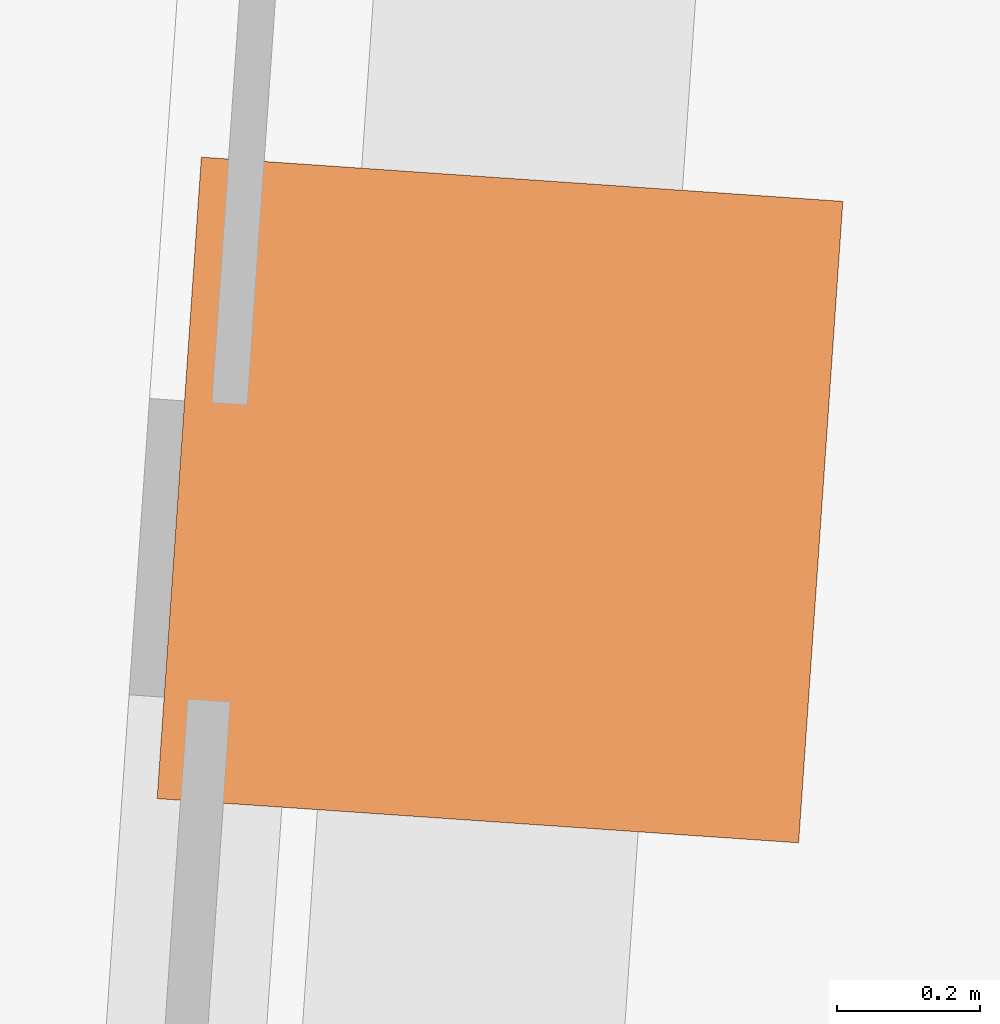
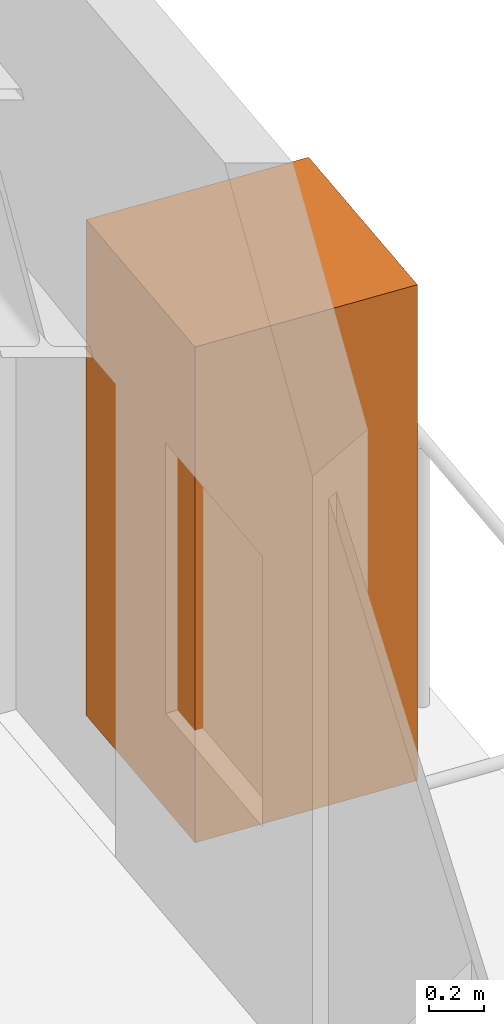
# One storey, part 11 of 11: 1 geographic element.
"""IFC4 building model written with IfcOpenShell, lengths in metres."""

from ifc_helpers import new_model, si_unit, direction, frame, origin, origin_2d, place, context, subcontext, project, spatial, rectangle, extrude, material, type_object, element, save


model = new_model("IFC4")

# Units and contexts
model_context = context("Model", 3, precision=1e-05, world=origin(), true_north=direction((0.0, 1.0)))
body_context = subcontext(model_context, "Body", "Model", "MODEL_VIEW")
ifc_project = project(units=[si_unit("LENGTHUNIT", "METRE"), si_unit("AREAUNIT", "SQUARE_METRE"), si_unit("VOLUMEUNIT", "CUBIC_METRE"), si_unit("PLANEANGLEUNIT", "RADIAN"), si_unit("MASSUNIT", "GRAM", prefix="KILO")], contexts=[model_context])

# Site, building, storey
site_placement = place(None, origin())
site = spatial("IfcSite", under=ifc_project, at=site_placement, CompositionType="ELEMENT")
building_placement = place(site_placement, origin())
building = spatial("IfcBuilding", under=site, at=building_placement, Name="Verdant Reach Tower", CompositionType="ELEMENT")
storey_placement = place(building_placement, frame((0.0, 0.0, 254.0)))
storey = spatial("IfcBuildingStorey", under=building, at=storey_placement, Name="L58", CompositionType="ELEMENT", Elevation=254.0)

# Geographic element
ifc_material = material(Name="Planting")
geographic_element_type = type_object("IfcGeographicElementType", Name="EN-TREE", PredefinedType="USERDEFINED", material=ifc_material)
geographic_element_placement = place(storey_placement, frame((23.962158203125, 55.19775390625, 0.39990234375), z_axis=(0.0, 0.0, 1.0), x_axis=(0.068802091615, 0.997630328423, 0.0)))
element("IfcGeographicElement", 1, at=geographic_element_placement, inside=storey, type_object=geographic_element_type, Name="Balcony tree, Guabiroba (Campomanesia xanthocarpa), L58 1", ObjectType="TREE", PredefinedType="USERDEFINED", context=body_context, shape_type="SweptSolid", body=[
    extrude(rectangle(XDim=0.89990234375, YDim=0.89990234375, at=origin_2d()), origin(), (0.0, 0.0, 1.0), 2.199951171875),
])

save(model, "model.ifc")
